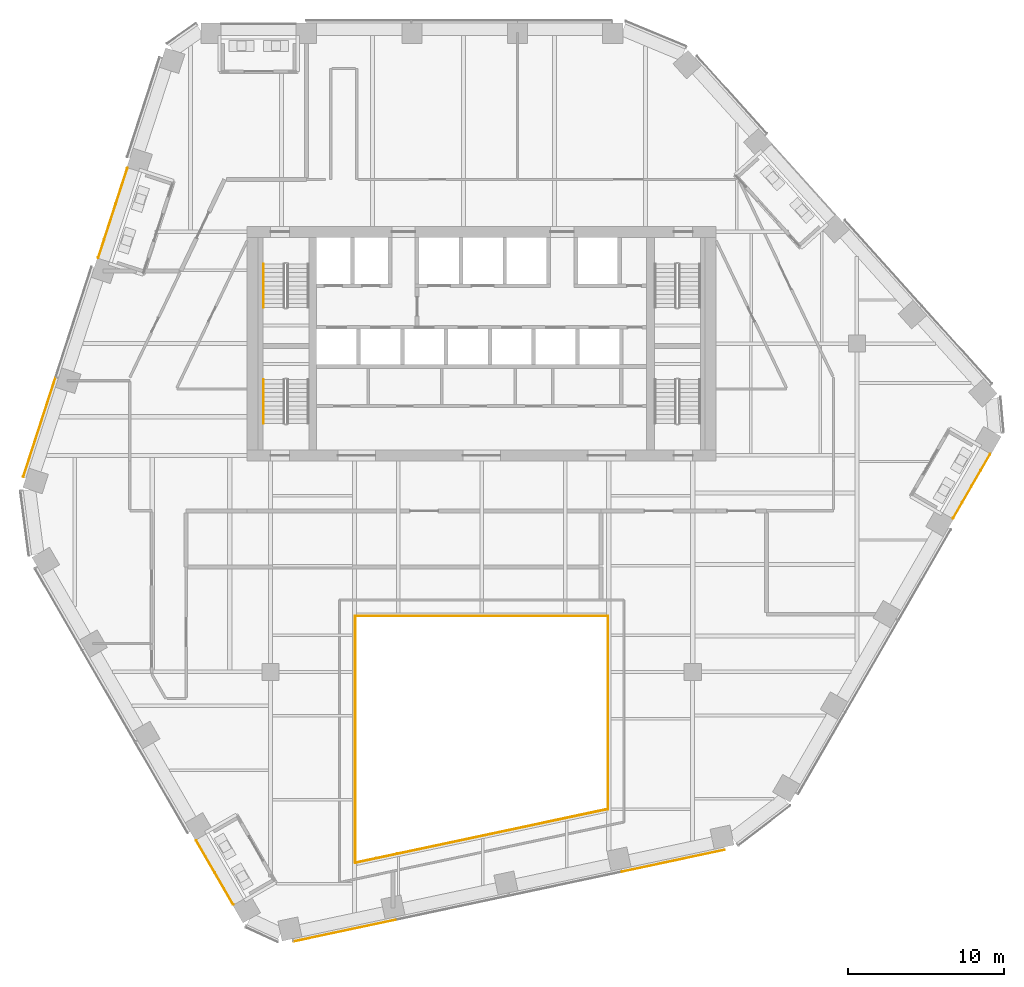
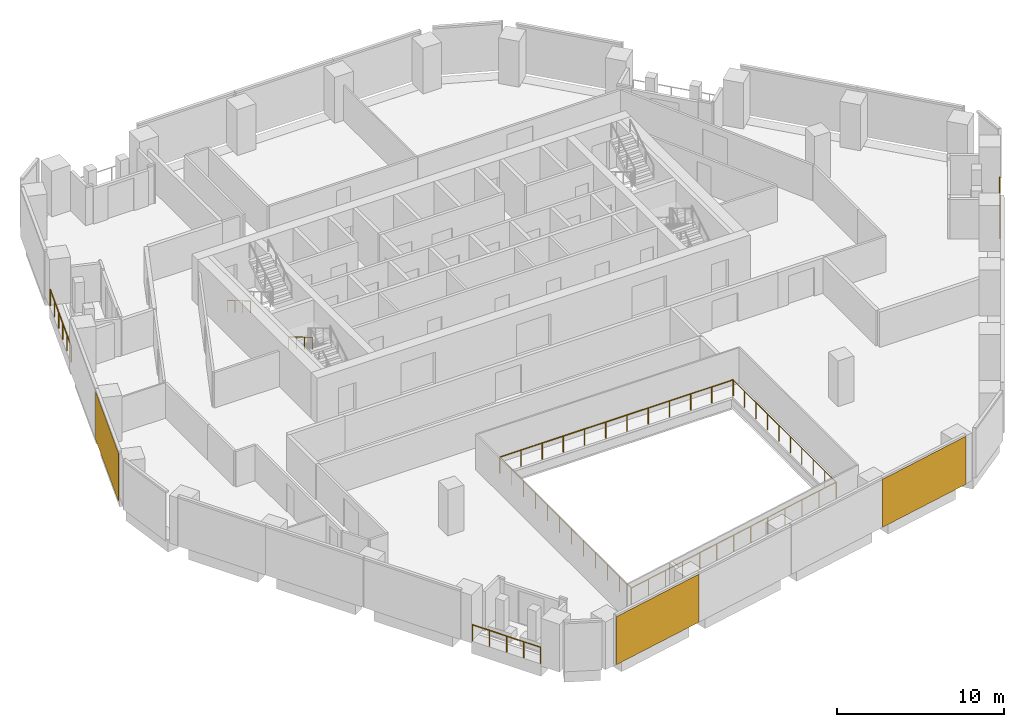
# One storey, part 23 of 26: 9 railings, 3 coverings, 2 elements without a shape of their own.
"""IFC4 building model written with IfcOpenShell, lengths in metres."""

from ifc_helpers import new_model, si_unit, direction, frame, origin, origin_2d, place, context, subcontext, project, spatial, rectangle, circle, extrude, material, layer, layer_set, type_object, element, aggregate, save


model = new_model("IFC4")

# Units and contexts
model_context = context("Model", 3, precision=1e-05, world=origin(), true_north=direction((0.0, 1.0)))
body_context = subcontext(model_context, "Body", "Model", "MODEL_VIEW")
ifc_project = project(units=[si_unit("LENGTHUNIT", "METRE"), si_unit("AREAUNIT", "SQUARE_METRE"), si_unit("VOLUMEUNIT", "CUBIC_METRE"), si_unit("PLANEANGLEUNIT", "RADIAN"), si_unit("MASSUNIT", "GRAM", prefix="KILO")], contexts=[model_context])

# Site, building, storey
site_placement = place(None, origin())
site = spatial("IfcSite", under=ifc_project, at=site_placement, CompositionType="ELEMENT")
building_placement = place(site_placement, origin())
building = spatial("IfcBuilding", under=site, at=building_placement, Name="Isthmus Gate Tower", CompositionType="ELEMENT")
storey_placement = place(building_placement, frame((0.0, 0.0, 203.64990234375)))
storey = spatial("IfcBuildingStorey", under=building, at=storey_placement, Name="L51", CompositionType="ELEMENT", Elevation=203.64990234375)

# Railings
ifc_material_1 = material(Name="Laminated toughened glass balustrade with steel rail", Category="steel")
railing_type_1 = type_object("IfcRailingType", Name="ATRIUM GUARD GLASS BALUSTRADE 1200", PredefinedType="GUARDRAIL", material=ifc_material_1)
railing_1_placement = place(storey_placement, frame((-8.080078125, -25.7099609375, 0.0)))
element("IfcRailing", 1, at=railing_1_placement, inside=storey, type_object=railing_type_1, Name="L51 atrium guard", PredefinedType="GUARDRAIL", context=body_context, shape_type="SweptSolid", body=[
    extrude(circle(Radius=0.02490234375, at=origin_2d()), frame((0.0, 0.0, 1.1748046875), z_axis=(0.0, 1.0, 0.0), x_axis=(-1.0, 0.0, 0.0)), (0.0, 0.0, 1.0), 15.7900390625),
    extrude(circle(Radius=0.02490234375, at=origin_2d()), origin(), (0.0, 0.0, 1.0), 1.14990234375),
    extrude(circle(Radius=0.02490234375, at=origin_2d()), frame((0.0, 1.435546875, 0.0)), (0.0, 0.0, 1.0), 1.14990234375),
    extrude(circle(Radius=0.02490234375, at=origin_2d()), frame((0.0, 2.870849609375, 0.0)), (0.0, 0.0, 1.0), 1.14990234375),
    extrude(circle(Radius=0.02490234375, at=origin_2d()), frame((0.0, 4.306396484375, 0.0)), (0.0, 0.0, 1.0), 1.14990234375),
    extrude(circle(Radius=0.02490234375, at=origin_2d()), frame((0.0, 5.741943359375, 0.0)), (0.0, 0.0, 1.0), 1.14990234375),
    extrude(circle(Radius=0.02490234375, at=origin_2d()), frame((0.0, 7.17724609375, 0.0)), (0.0, 0.0, 1.0), 1.14990234375),
    extrude(circle(Radius=0.02490234375, at=origin_2d()), frame((0.0, 8.61279296875, 0.0)), (0.0, 0.0, 1.0), 1.14990234375),
    extrude(circle(Radius=0.02490234375, at=origin_2d()), frame((0.0, 10.048095703125, 0.0)), (0.0, 0.0, 1.0), 1.14990234375),
    extrude(circle(Radius=0.02490234375, at=origin_2d()), frame((0.0, 11.483642578125, 0.0)), (0.0, 0.0, 1.0), 1.14990234375),
    extrude(circle(Radius=0.02490234375, at=origin_2d()), frame((0.0, 12.919189453125, 0.0)), (0.0, 0.0, 1.0), 1.14990234375),
    extrude(circle(Radius=0.02490234375, at=origin_2d()), frame((0.0, 14.3544921875, 0.0)), (0.0, 0.0, 1.0), 1.14990234375),
    extrude(circle(Radius=0.02490234375, at=origin_2d()), frame((0.0, 15.7900390625, 0.0)), (0.0, 0.0, 1.0), 1.14990234375),
])
railing_2_placement = place(storey_placement, frame((-8.080078125, -9.919921875, 0.0)))
element("IfcRailing", 2, at=railing_2_placement, inside=storey, type_object=railing_type_1, Name="L51 atrium guard", PredefinedType="GUARDRAIL", context=body_context, shape_type="SweptSolid", body=[
    extrude(circle(Radius=0.02490234375, at=origin_2d()), frame((0.0, 0.0, 1.1748046875), z_axis=(1.0, 0.0, 0.0), x_axis=(0.0, 1.0, 0.0)), (0.0, 0.0, 1.0), 16.16015625),
    extrude(circle(Radius=0.02490234375, at=origin_2d()), origin(), (0.0, 0.0, 1.0), 1.14990234375),
    extrude(circle(Radius=0.02490234375, at=origin_2d()), frame((1.468994140625, 0.0, 0.0)), (0.0, 0.0, 1.0), 1.14990234375),
    extrude(circle(Radius=0.02490234375, at=origin_2d()), frame((2.938232421875, 0.0, 0.0)), (0.0, 0.0, 1.0), 1.14990234375),
    extrude(circle(Radius=0.02490234375, at=origin_2d()), frame((4.4072265625, 0.0, 0.0)), (0.0, 0.0, 1.0), 1.14990234375),
    extrude(circle(Radius=0.02490234375, at=origin_2d()), frame((5.87646484375, 0.0, 0.0)), (0.0, 0.0, 1.0), 1.14990234375),
    extrude(circle(Radius=0.02490234375, at=origin_2d()), frame((7.345458984375, 0.0, 0.0)), (0.0, 0.0, 1.0), 1.14990234375),
    extrude(circle(Radius=0.02490234375, at=origin_2d()), frame((8.814697265625, 0.0, 0.0)), (0.0, 0.0, 1.0), 1.14990234375),
    extrude(circle(Radius=0.02490234375, at=origin_2d()), frame((10.28369140625, 0.0, 0.0)), (0.0, 0.0, 1.0), 1.14990234375),
    extrude(circle(Radius=0.02490234375, at=origin_2d()), frame((11.7529296875, 0.0, 0.0)), (0.0, 0.0, 1.0), 1.14990234375),
    extrude(circle(Radius=0.02490234375, at=origin_2d()), frame((13.221923828125, 0.0, 0.0)), (0.0, 0.0, 1.0), 1.14990234375),
    extrude(circle(Radius=0.02490234375, at=origin_2d()), frame((14.691162109375, 0.0, 0.0)), (0.0, 0.0, 1.0), 1.14990234375),
    extrude(circle(Radius=0.02490234375, at=origin_2d()), frame((16.16015625, 0.0, 0.0)), (0.0, 0.0, 1.0), 1.14990234375),
])
railing_3_placement = place(storey_placement, frame((8.080078125, -9.919921875, 0.0)))
element("IfcRailing", 3, at=railing_3_placement, inside=storey, type_object=railing_type_1, Name="L51 atrium guard", PredefinedType="GUARDRAIL", context=body_context, shape_type="SweptSolid", body=[
    extrude(circle(Radius=0.02490234375, at=origin_2d()), frame((0.0, 0.0, 1.1748046875), z_axis=(0.0, -1.0, 0.0), x_axis=(1.0, 0.0, 0.0)), (0.0, 0.0, 1.0), 12.35498046875),
    extrude(circle(Radius=0.02490234375, at=origin_2d()), origin(), (0.0, 0.0, 1.0), 1.14990234375),
    extrude(circle(Radius=0.02490234375, at=origin_2d()), frame((0.0, -1.372802734375, 0.0)), (0.0, 0.0, 1.0), 1.14990234375),
    extrude(circle(Radius=0.02490234375, at=origin_2d()), frame((0.0, -2.74560546875, 0.0)), (0.0, 0.0, 1.0), 1.14990234375),
    extrude(circle(Radius=0.02490234375, at=origin_2d()), frame((0.0, -4.118408203125, 0.0)), (0.0, 0.0, 1.0), 1.14990234375),
    extrude(circle(Radius=0.02490234375, at=origin_2d()), frame((0.0, -5.4912109375, 0.0)), (0.0, 0.0, 1.0), 1.14990234375),
    extrude(circle(Radius=0.02490234375, at=origin_2d()), frame((0.0, -6.86376953125, 0.0)), (0.0, 0.0, 1.0), 1.14990234375),
    extrude(circle(Radius=0.02490234375, at=origin_2d()), frame((0.0, -8.236572265625, 0.0)), (0.0, 0.0, 1.0), 1.14990234375),
    extrude(circle(Radius=0.02490234375, at=origin_2d()), frame((0.0, -9.609375, 0.0)), (0.0, 0.0, 1.0), 1.14990234375),
    extrude(circle(Radius=0.02490234375, at=origin_2d()), frame((0.0, -10.982177734375, 0.0)), (0.0, 0.0, 1.0), 1.14990234375),
    extrude(circle(Radius=0.02490234375, at=origin_2d()), frame((0.0, -12.35498046875, 0.0)), (0.0, 0.0, 1.0), 1.14990234375),
])
railing_4_placement = place(storey_placement, frame((8.080078125, -22.27490234375, 0.0)))
element("IfcRailing", 4, at=railing_4_placement, inside=storey, type_object=railing_type_1, Name="L51 atrium guard", PredefinedType="GUARDRAIL", context=body_context, shape_type="SweptSolid", body=[
    extrude(circle(Radius=0.02490234375, at=origin_2d()), frame((0.0, 0.0, 1.1748046875), z_axis=(-0.978146230105, -0.207918139013, 0.0), x_axis=(0.207918139013, -0.978146230105, 0.0)), (0.0, 0.0, 1.0), 16.521240234375),
    extrude(circle(Radius=0.02490234375, at=origin_2d()), origin(), (0.0, 0.0, 1.0), 1.14990234375),
    extrude(circle(Radius=0.02490234375, at=origin_2d()), frame((-1.3466796875, -0.2861328125, 0.0)), (0.0, 0.0, 1.0), 1.14990234375),
    extrude(circle(Radius=0.02490234375, at=origin_2d()), frame((-2.693359375, -0.572509765625, 0.0)), (0.0, 0.0, 1.0), 1.14990234375),
    extrude(circle(Radius=0.02490234375, at=origin_2d()), frame((-4.0400390625, -0.85888671875, 0.0)), (0.0, 0.0, 1.0), 1.14990234375),
    extrude(circle(Radius=0.02490234375, at=origin_2d()), frame((-5.38671875, -1.14501953125, 0.0)), (0.0, 0.0, 1.0), 1.14990234375),
    extrude(circle(Radius=0.02490234375, at=origin_2d()), frame((-6.7333984375, -1.43115234375, 0.0)), (0.0, 0.0, 1.0), 1.14990234375),
    extrude(circle(Radius=0.02490234375, at=origin_2d()), frame((-8.080078125, -1.717529296875, 0.0)), (0.0, 0.0, 1.0), 1.14990234375),
    extrude(circle(Radius=0.02490234375, at=origin_2d()), frame((-9.4267578125, -2.00390625, 0.0)), (0.0, 0.0, 1.0), 1.14990234375),
    extrude(circle(Radius=0.02490234375, at=origin_2d()), frame((-10.7734375, -2.2900390625, 0.0)), (0.0, 0.0, 1.0), 1.14990234375),
    extrude(circle(Radius=0.02490234375, at=origin_2d()), frame((-12.1201171875, -2.576171875, 0.0)), (0.0, 0.0, 1.0), 1.14990234375),
    extrude(circle(Radius=0.02490234375, at=origin_2d()), frame((-13.466796875, -2.862548828125, 0.0)), (0.0, 0.0, 1.0), 1.14990234375),
    extrude(circle(Radius=0.02490234375, at=origin_2d()), frame((-14.8134765625, -3.14892578125, 0.0)), (0.0, 0.0, 1.0), 1.14990234375),
    extrude(circle(Radius=0.02490234375, at=origin_2d()), frame((-16.16015625, -3.43505859375, 0.0)), (0.0, 0.0, 1.0), 1.14990234375),
])

# Curtain wall, covering
ifc_material_2 = material(Name="Aluminium, pale champagne anodised", Category="aluminium")
ifc_layer_1 = layer(ifc_material_2, 0.199951171875)
ifc_layer_set_1 = layer_set([ifc_layer_1], Name="CW-1 UNITISED CURTAIN WALL 200 DEEP")
curtain_wall_type = type_object("IfcCurtainWallType", Name="CW-1 UNITISED CURTAIN WALL 200 DEEP", PredefinedType="NOTDEFINED", material=ifc_layer_set_1)
curtain_wall_1_placement = place(storey_placement, origin())
curtain_wall_1 = element("IfcCurtainWall", 5, at=curtain_wall_1_placement, inside=storey, type_object=curtain_wall_type, Name="CW-1 NW L51", PredefinedType="NOTDEFINED")
ifc_material_3 = material(Name="Aluminium composite panel, pale champagne anodised", Category="aluminium")
ifc_layer_2 = layer(ifc_material_3, 0.035888671875)
ifc_layer_set_2 = layer_set([ifc_layer_2], Name="CW-1 PALE METAL PANEL 36")
covering_type = type_object("IfcCoveringType", Name="CW-1 PALE METAL PANEL 36", PredefinedType="CLADDING", material=ifc_layer_set_2)
covering_1_placement = place(storey_placement, frame((-28.290283203125, 2.150146484375, 0.0), z_axis=(0.0, 0.0, 1.0), x_axis=(-0.309016994375, -0.951056516295, 0.0)))
covering_1 = element("IfcCovering", 6, at=covering_1_placement, type_object=covering_type, Name="CW-1 pale metal panel", PredefinedType="CLADDING", context=body_context, shape_type="SweptSolid", body=[
    extrude(rectangle(XDim=6.680908203125, YDim=0.035888671875, at=origin_2d()), origin(), (0.0, 0.0, 1.0), 3.510009765625),
])
aggregate(curtain_wall_1, [covering_1])

# Curtain wall, coverings
curtain_wall_2_placement = place(storey_placement, origin())
curtain_wall_2 = element("IfcCurtainWall", 7, at=curtain_wall_2_placement, inside=storey, type_object=curtain_wall_type, Name="CW-1 S L51", PredefinedType="NOTDEFINED")
covering_2_placement = place(storey_placement, frame((-8.768798828125, -30.050048828125, 0.0), z_axis=(0.0, 0.0, 1.0), x_axis=(0.978147600734, 0.207911690818, 0.0)))
covering_2 = element("IfcCovering", 8, at=covering_2_placement, type_object=covering_type, Name="CW-1 pale metal panel", PredefinedType="CLADDING", context=body_context, shape_type="SweptSolid", body=[
    extrude(rectangle(XDim=6.680908203125, YDim=0.035888671875, at=origin_2d()), origin(), (0.0, 0.0, 1.0), 3.510009765625),
])
covering_3_placement = place(storey_placement, frame((12.25390625, -25.58154296875, 0.0), z_axis=(0.0, 0.0, 1.0), x_axis=(0.978147600734, 0.207911690818, 0.0)))
covering_3 = element("IfcCovering", 9, at=covering_3_placement, type_object=covering_type, Name="CW-1 pale metal panel", PredefinedType="CLADDING", context=body_context, shape_type="SweptSolid", body=[
    extrude(rectangle(XDim=6.74072265625, YDim=0.035888671875, at=origin_2d()), origin(), (0.0, 0.0, 1.0), 3.510009765625),
])
aggregate(curtain_wall_2, [covering_2, covering_3])

# Railings
ifc_material_4 = material(Name="Toughened laminated glass with stainless steel posts", Category="steel")
railing_type_2 = type_object("IfcRailingType", Name="GUARD 1200 FRAMELESS GLASS", PredefinedType="GUARDRAIL", material=ifc_material_4)
railing_5_placement = place(storey_placement, frame((-22.664306640625, 18.714111328125, 0.0)))
element("IfcRailing", 10, at=railing_5_placement, inside=storey, type_object=railing_type_2, Name="LOGGIA GUARD", PredefinedType="GUARDRAIL", context=body_context, shape_type="SweptSolid", body=[
    extrude(circle(Radius=0.02490234375, at=origin_2d()), frame((0.0, 0.0, 1.1748046875), z_axis=(-0.309017189557, -0.951056452877, 0.0), x_axis=(0.951056452877, -0.309017189557, 0.0)), (0.0, 0.0, 1.0), 6.0107421875),
    extrude(circle(Radius=0.02490234375, at=origin_2d()), origin(), (0.0, 0.0, 1.0), 1.14990234375),
    extrude(circle(Radius=0.02490234375, at=origin_2d()), frame((-0.37158203125, -1.143310546875, 0.0)), (0.0, 0.0, 1.0), 1.14990234375),
    extrude(circle(Radius=0.02490234375, at=origin_2d()), frame((-0.742919921875, -2.28662109375, 0.0)), (0.0, 0.0, 1.0), 1.14990234375),
    extrude(circle(Radius=0.02490234375, at=origin_2d()), frame((-1.114501953125, -3.429931640625, 0.0)), (0.0, 0.0, 1.0), 1.14990234375),
    extrude(circle(Radius=0.02490234375, at=origin_2d()), frame((-1.48583984375, -4.5732421875, 0.0)), (0.0, 0.0, 1.0), 1.14990234375),
    extrude(circle(Radius=0.02490234375, at=origin_2d()), frame((-1.857421875, -5.716552734375, 0.0)), (0.0, 0.0, 1.0), 1.14990234375),
])
railing_6_placement = place(storey_placement, frame((-18.25439453125, -24.2822265625, 0.0)))
element("IfcRailing", 11, at=railing_6_placement, inside=storey, type_object=railing_type_2, Name="LOGGIA GUARD", PredefinedType="GUARDRAIL", context=body_context, shape_type="SweptSolid", body=[
    extrude(circle(Radius=0.02490234375, at=origin_2d()), frame((0.0, 0.0, 1.1748046875), z_axis=(0.499955275397, -0.866051224006, 0.0), x_axis=(0.866051224006, 0.499955275397, 0.0)), (0.0, 0.0, 1.0), 4.72021484375),
    extrude(circle(Radius=0.02490234375, at=origin_2d()), origin(), (0.0, 0.0, 1.0), 1.14990234375),
    extrude(circle(Radius=0.02490234375, at=origin_2d()), frame((0.58984375, -1.02197265625, 0.0)), (0.0, 0.0, 1.0), 1.14990234375),
    extrude(circle(Radius=0.02490234375, at=origin_2d()), frame((1.179931640625, -2.0439453125, 0.0)), (0.0, 0.0, 1.0), 1.14990234375),
    extrude(circle(Radius=0.02490234375, at=origin_2d()), frame((1.77001953125, -3.06591796875, 0.0)), (0.0, 0.0, 1.0), 1.14990234375),
    extrude(circle(Radius=0.02490234375, at=origin_2d()), frame((2.35986328125, -4.087890625, 0.0)), (0.0, 0.0, 1.0), 1.14990234375),
])
railing_7_placement = place(storey_placement, frame((30.15625, -3.667724609375, 0.0)))
element("IfcRailing", 12, at=railing_7_placement, inside=storey, type_object=railing_type_2, Name="LOGGIA GUARD", PredefinedType="GUARDRAIL", context=body_context, shape_type="SweptSolid", body=[
    extrude(circle(Radius=0.02490234375, at=origin_2d()), frame((0.0, 0.0, 1.1748046875), z_axis=(0.499994068514, 0.866028828302, 0.0), x_axis=(-0.866028828302, 0.499994068514, 0.0)), (0.0, 0.0, 1.0), 4.72021484375),
    extrude(circle(Radius=0.02490234375, at=origin_2d()), origin(), (0.0, 0.0, 1.0), 1.14990234375),
    extrude(circle(Radius=0.02490234375, at=origin_2d()), frame((0.590087890625, 1.02197265625, 0.0)), (0.0, 0.0, 1.0), 1.14990234375),
    extrude(circle(Radius=0.02490234375, at=origin_2d()), frame((1.18017578125, 2.0439453125, 0.0)), (0.0, 0.0, 1.0), 1.14990234375),
    extrude(circle(Radius=0.02490234375, at=origin_2d()), frame((1.77001953125, 3.06591796875, 0.0)), (0.0, 0.0, 1.0), 1.14990234375),
    extrude(circle(Radius=0.02490234375, at=origin_2d()), frame((2.360107421875, 4.087890625, 0.0)), (0.0, 0.0, 1.0), 1.14990234375),
])
ifc_material_5 = material(Name="Stainless steel handrail", Category="steel")
railing_type_3 = type_object("IfcRailingType", Name="STAIR HANDRAIL 900", PredefinedType="HANDRAIL", material=ifc_material_5)
for number, where, name in (
    (13, (-13.949951171875, 12.60009765625, 0.166015625), "L51 ST1 stair handrail 1"),
    (14, (-13.949951171875, 5.199951171875, 1.990966796875), "L51 ST7 stair handrail 2"),
):
    element("IfcRailing", number, at=place(storey_placement, frame(where)), inside=storey, type_object=railing_type_3, Name=name, PredefinedType="HANDRAIL", context=body_context, shape_type="SweptSolid", body=[
        extrude(circle(Radius=0.02392578125, at=origin_2d()), frame((0.0, 0.0, 0.8759765625), z_axis=(0.0, -0.860306154799, 0.50977771628), x_axis=(1.0, 0.0, 0.0)), (0.0, 0.0, 1.0), 3.254638671875),
        extrude(circle(Radius=0.02099609375, at=origin_2d()), origin(), (0.0, 0.0, 1.0), 0.851806640625),
        extrude(circle(Radius=0.02099609375, at=origin_2d()), frame((0.0, -0.933349609375, 0.552978515625)), (0.0, 0.0, 1.0), 0.851806640625),
        extrude(circle(Radius=0.02099609375, at=origin_2d()), frame((0.0, -1.86669921875, 1.106201171875)), (0.0, 0.0, 1.0), 0.851806640625),
        extrude(circle(Radius=0.02099609375, at=origin_2d()), frame((0.0, -2.800048828125, 1.6591796875)), (0.0, 0.0, 1.0), 0.851806640625),
    ])

save(model, "model.ifc")
